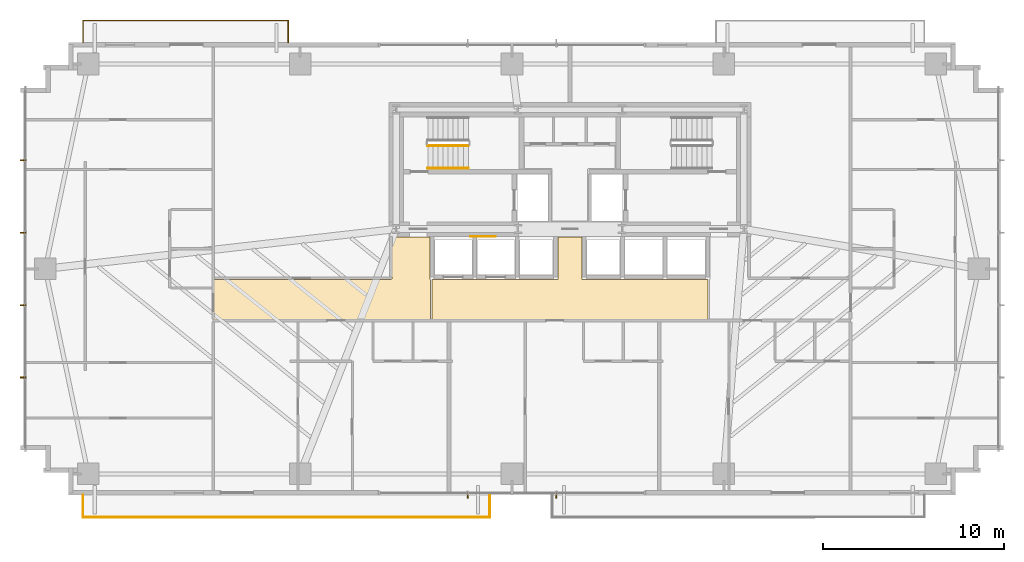
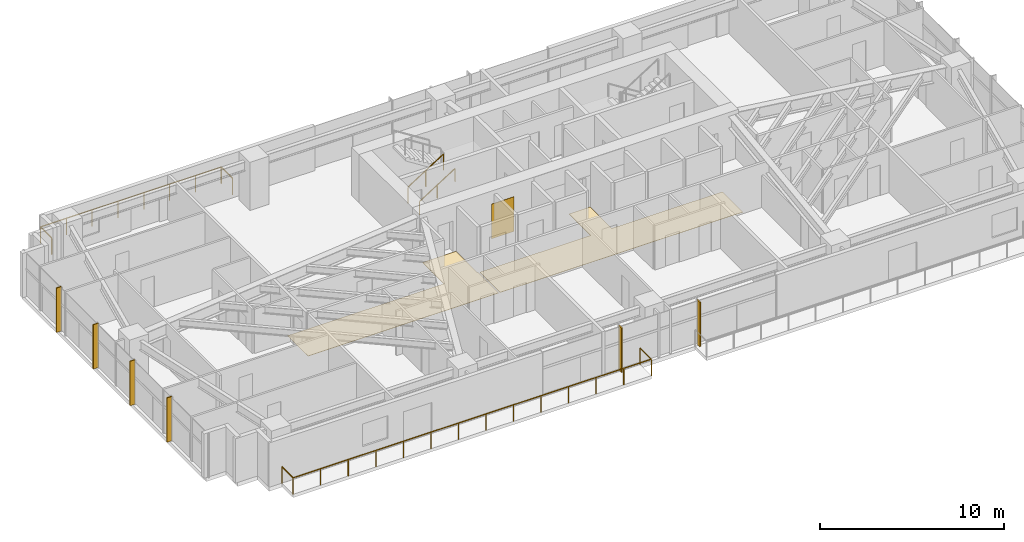
# One storey, part 23 of 25: 6 shading devices, 4 railings, 3 coverings.
"""IFC4 building model written with IfcOpenShell, lengths in metres."""

from ifc_helpers import new_model, si_unit, direction, frame, origin, origin_2d, place, context, subcontext, project, spatial, polyline, rectangle, outline, extrude, source, transform, mapped, material, layer, layer_set, type_object, type_shapes, element, save


model = new_model("IFC4")

# Units and contexts
model_context = context("Model", 3, precision=1e-05, world=origin(), true_north=direction((0.0, 1.0)))
body_context = subcontext(model_context, "Body", "Model", "MODEL_VIEW")
ifc_project = project(units=[si_unit("LENGTHUNIT", "METRE"), si_unit("AREAUNIT", "SQUARE_METRE"), si_unit("VOLUMEUNIT", "CUBIC_METRE"), si_unit("PLANEANGLEUNIT", "RADIAN"), si_unit("MASSUNIT", "GRAM", prefix="KILO")], contexts=[model_context])

# Site, building, storey
site_placement = place(None, origin())
site = spatial("IfcSite", under=ifc_project, at=site_placement, CompositionType="ELEMENT")
building_placement = place(site_placement, origin())
building = spatial("IfcBuilding", under=site, at=building_placement, Name="Astriad Promenade Condominiums", CompositionType="ELEMENT")
storey_placement = place(building_placement, frame((0.0, 0.0, 55.0)))
storey = spatial("IfcBuildingStorey", under=building, at=storey_placement, Name="L15", CompositionType="ELEMENT", Elevation=55.0)

# Coverings
ifc_material_1 = material(Name="Polished Lakefront Terrazzo Flooring")
ifc_layer_1 = layer(ifc_material_1, 0.02001953125)
ifc_layer_set_1 = layer_set([ifc_layer_1], Name="Polished Lakefront Terrazzo Flooring")
covering_type_1 = type_object("IfcCoveringType", Name="COV-FLOR-TERRAZZO-20", PredefinedType="FLOORING", material=ifc_layer_set_1)
covering_1_placement = place(storey_placement, origin())
element("IfcCovering", 1, at=covering_1_placement, inside=storey, type_object=covering_type_1, Name="FLR-L15-LLB", PredefinedType="FLOORING", context=body_context, shape_type="SweptSolid", body=[
    extrude(outline(polyline([(43.610107421875, 14.610107421875), (43.610107421875, 12.389892578125), (28.389892578125, 12.389892578125), (28.389892578125, 14.610107421875), (35.300048828125, 14.610107421875), (35.303955078125, 14.610107421875), (35.307861328125, 14.61083984375), (35.3115234375, 14.61181640625), (35.315185546875, 14.613037109375), (35.31884765625, 14.61474609375), (35.322265625, 14.61669921875), (35.325439453125, 14.619140625), (35.328369140625, 14.62158203125), (35.330810546875, 14.62451171875), (35.333251953125, 14.627685546875), (35.335205078125, 14.631103515625), (35.3369140625, 14.634765625), (35.33837890625, 14.638427734375), (35.339111328125, 14.64208984375), (35.33984375, 14.64599609375), (35.340087890625, 14.64990234375), (35.340087890625, 16.9599609375), (36.659912109375, 16.9599609375), (36.659912109375, 14.64990234375), (36.66015625, 14.64599609375), (36.660888671875, 14.64208984375), (36.66162109375, 14.638427734375), (36.6630859375, 14.634765625), (36.664794921875, 14.631103515625), (36.666748046875, 14.627685546875), (36.669189453125, 14.62451171875), (36.671630859375, 14.62158203125), (36.674560546875, 14.619140625), (36.677734375, 14.61669921875), (36.68115234375, 14.61474609375), (36.684814453125, 14.613037109375), (36.6884765625, 14.61181640625), (36.692138671875, 14.61083984375), (36.696044921875, 14.610107421875), (36.699951171875, 14.610107421875), (43.610107421875, 14.610107421875)])), origin(), (0.0, 0.0, 1.0), 0.02001953125),
])
covering_2_placement = place(storey_placement, origin())
element("IfcCovering", 2, at=covering_2_placement, inside=storey, type_object=covering_type_1, Name="FLR-L15-COR-2", PredefinedType="FLOORING", context=body_context, shape_type="SweptSolid", body=[
    extrude(outline(polyline([(28.300048828125, 12.389892578125), (16.340087890625, 12.389892578125), (16.340087890625, 14.6201171875), (26.1201171875, 14.6201171875), (26.123779296875, 14.6201171875), (26.127685546875, 14.620849609375), (26.131591796875, 14.62158203125), (26.13525390625, 14.623046875), (26.138916015625, 14.624755859375), (26.14208984375, 14.626708984375), (26.1455078125, 14.629150390625), (26.148193359375, 14.631591796875), (26.15087890625, 14.634521484375), (26.1533203125, 14.6376953125), (26.1552734375, 14.64111328125), (26.156982421875, 14.644775390625), (26.158203125, 14.6484375), (26.1591796875, 14.652099609375), (26.159912109375, 14.656005859375), (26.159912109375, 14.659912109375), (26.159912109375, 16.9599609375), (28.260009765625, 16.9599609375), (28.260009765625, 14.64990234375), (28.26025390625, 14.64599609375), (28.2607421875, 14.64208984375), (28.26171875, 14.638427734375), (28.262939453125, 14.634765625), (28.2646484375, 14.631103515625), (28.2666015625, 14.627685546875), (28.26904296875, 14.62451171875), (28.271728515625, 14.62158203125), (28.274658203125, 14.619140625), (28.27783203125, 14.61669921875), (28.281005859375, 14.61474609375), (28.28466796875, 14.613037109375), (28.288330078125, 14.61181640625), (28.292236328125, 14.61083984375), (28.296142578125, 14.610107421875), (28.300048828125, 14.610107421875), (28.300048828125, 12.389892578125)])), origin(), (0.0, 0.0, 1.0), 0.02001953125),
])

# Shading devices
ifc_material_2 = material(Name="Anodised aluminium 6063-T6 Black Fin", Category="aluminium")
shading_device_type = type_object("IfcShadingDeviceType", Name="FIN-BLACK-320", PredefinedType="USERDEFINED", material=ifc_material_2)
shared_shape_1 = source(origin(), body_context, "Body", "SweptSolid", [
    extrude(rectangle(XDim=0.06494140625, YDim=0.320068359375, at=origin_2d()), origin(), (0.0, 0.0, 1.0), 2.93994140625),
])
type_shapes(shading_device_type, [shared_shape_1])
for number, where, z_axis, x_axis, name in (
    (3, (5.7900390625, 9.199951171875, 0.0), (0.0, 0.0, 1.0), (0.0, 1.0, 0.0), "CW-L15-W-FIN-01"),
    (4, (5.7900390625, 13.199951171875, 0.0), (0.0, 0.0, 1.0), (0.0, 1.0, 0.0), "CW-L15-W-FIN-02"),
    (5, (5.7900390625, 17.199951171875, 0.0), (0.0, 0.0, 1.0), (0.0, 1.0, 0.0), "CW-L15-W-FIN-03"),
    (6, (5.7900390625, 21.199951171875, 0.0), (0.0, 0.0, 1.0), (0.0, 1.0, 0.0), "CW-L15-W-FIN-04"),
    (7, (35.25, 2.68994140625, 0.0), (0.0, 0.0, 1.0), (-1.0, 0.0, 0.0), "CW-L15-S-FIN-01"),
    (8, (30.35009765625, 2.68994140625, 0.0), (0.0, 0.0, 1.0), (-1.0, 0.0, 0.0), "CW-L15-S-FIN-02"),
):
    element("IfcShadingDevice", number, at=place(storey_placement, frame(where, z_axis=z_axis, x_axis=x_axis)), inside=storey, type_object=shading_device_type, Name=name, ObjectType="FIN", PredefinedType="USERDEFINED", context=body_context, shape_type="MappedRepresentation", body=[
        mapped(shared_shape_1, transform((0.0, 0.0, 0.0), scale=1.0)),
    ])

# Railings
ifc_material_3 = material(Name="Laminated Glass and Stainless Steel Balustrade", Category="steel")
railing_type_1 = type_object("IfcRailingType", Name="GRD-BALC-1120", PredefinedType="BALUSTRADE", material=ifc_material_3)
shared_shape_2 = source(origin(), body_context, "Body", "SweptSolid", [
    extrude(rectangle(XDim=0.048095703125, YDim=0.048095703125, at=origin_2d()), frame((0.0, 0.0, 1.09619140625), z_axis=(0.0, -1.0, 0.0), x_axis=(1.0, 0.0, 0.0)), (0.0, 0.0, 1.0), 1.219970703125),
    extrude(rectangle(XDim=0.048095703125, YDim=0.048095703125, at=origin_2d()), frame((0.0, -1.219970703125, 1.09619140625), z_axis=(1.0, 0.0, 0.0), x_axis=(0.0, 1.0, 0.0)), (0.0, 0.0, 1.0), 22.462158203125),
    extrude(rectangle(XDim=0.048095703125, YDim=0.048095703125, at=origin_2d()), frame((22.462158203125, -1.219970703125, 1.09619140625), z_axis=(0.0, 1.0, 0.0), x_axis=(-1.0, 0.0, 0.0)), (0.0, 0.0, 1.0), 1.219970703125),
    extrude(rectangle(XDim=0.0419921875, YDim=0.0419921875, at=origin_2d()), origin(), (0.0, 0.0, 1.0), 1.072021484375),
    extrude(rectangle(XDim=0.0419921875, YDim=0.0419921875, at=origin_2d()), frame((0.0, -1.219970703125, 0.0)), (0.0, 0.0, 1.0), 1.072021484375),
    extrude(rectangle(XDim=0.0419921875, YDim=0.0419921875, at=origin_2d()), frame((1.727783203125, -1.219970703125, 0.0)), (0.0, 0.0, 1.0), 1.072021484375),
    extrude(rectangle(XDim=0.0419921875, YDim=0.0419921875, at=origin_2d()), frame((3.455810546875, -1.219970703125, 0.0)), (0.0, 0.0, 1.0), 1.072021484375),
    extrude(rectangle(XDim=0.0419921875, YDim=0.0419921875, at=origin_2d()), frame((5.18359375, -1.219970703125, 0.0)), (0.0, 0.0, 1.0), 1.072021484375),
    extrude(rectangle(XDim=0.0419921875, YDim=0.0419921875, at=origin_2d()), frame((6.911376953125, -1.219970703125, 0.0)), (0.0, 0.0, 1.0), 1.072021484375),
    extrude(rectangle(XDim=0.0419921875, YDim=0.0419921875, at=origin_2d()), frame((8.639404296875, -1.219970703125, 0.0)), (0.0, 0.0, 1.0), 1.072021484375),
    extrude(rectangle(XDim=0.0419921875, YDim=0.0419921875, at=origin_2d()), frame((10.3671875, -1.219970703125, 0.0)), (0.0, 0.0, 1.0), 1.072021484375),
    extrude(rectangle(XDim=0.0419921875, YDim=0.0419921875, at=origin_2d()), frame((12.094970703125, -1.219970703125, 0.0)), (0.0, 0.0, 1.0), 1.072021484375),
    extrude(rectangle(XDim=0.0419921875, YDim=0.0419921875, at=origin_2d()), frame((13.82275390625, -1.219970703125, 0.0)), (0.0, 0.0, 1.0), 1.072021484375),
    extrude(rectangle(XDim=0.0419921875, YDim=0.0419921875, at=origin_2d()), frame((15.55078125, -1.219970703125, 0.0)), (0.0, 0.0, 1.0), 1.072021484375),
    extrude(rectangle(XDim=0.0419921875, YDim=0.0419921875, at=origin_2d()), frame((17.278564453125, -1.219970703125, 0.0)), (0.0, 0.0, 1.0), 1.072021484375),
    extrude(rectangle(XDim=0.0419921875, YDim=0.0419921875, at=origin_2d()), frame((19.00634765625, -1.219970703125, 0.0)), (0.0, 0.0, 1.0), 1.072021484375),
    extrude(rectangle(XDim=0.0419921875, YDim=0.0419921875, at=origin_2d()), frame((20.734375, -1.219970703125, 0.0)), (0.0, 0.0, 1.0), 1.072021484375),
    extrude(rectangle(XDim=0.0419921875, YDim=0.0419921875, at=origin_2d()), frame((22.462158203125, -1.219970703125, 0.0)), (0.0, 0.0, 1.0), 1.072021484375),
    extrude(rectangle(XDim=0.0419921875, YDim=0.0419921875, at=origin_2d()), frame((22.462158203125, 0.0, 0.0)), (0.0, 0.0, 1.0), 1.072021484375),
])
railing_1_placement = place(storey_placement, frame((9.10595703125, 2.699951171875, 0.0)))
element("IfcRailing", 9, at=railing_1_placement, inside=storey, type_object=railing_type_1, Name="GRD-BALC-L15-SW", PredefinedType="BALUSTRADE", context=body_context, shape_type="MappedRepresentation", body=[
    mapped(shared_shape_2, transform((0.0, 0.0, 0.0), scale=1.0)),
])
shared_shape_3 = source(origin(), body_context, "Body", "SweptSolid", [
    extrude(rectangle(XDim=0.048095703125, YDim=0.048095703125, at=origin_2d()), frame((0.0, 0.0, 1.09619140625), z_axis=(0.0, 1.0, 0.0), x_axis=(-1.0, 0.0, 0.0)), (0.0, 0.0, 1.0), 1.219970703125),
    extrude(rectangle(XDim=0.048095703125, YDim=0.048095703125, at=origin_2d()), frame((0.0, 1.219970703125, 1.09619140625), z_axis=(-1.0, 0.0, 0.0), x_axis=(0.0, -1.0, 0.0)), (0.0, 0.0, 1.0), 11.333984375),
    extrude(rectangle(XDim=0.048095703125, YDim=0.048095703125, at=origin_2d()), frame((-11.333984375, 1.219970703125, 1.09619140625), z_axis=(0.0, -1.0, 0.0), x_axis=(1.0, 0.0, 0.0)), (0.0, 0.0, 1.0), 1.219970703125),
    extrude(rectangle(XDim=0.0419921875, YDim=0.0419921875, at=origin_2d()), origin(), (0.0, 0.0, 1.0), 1.072021484375),
    extrude(rectangle(XDim=0.0419921875, YDim=0.0419921875, at=origin_2d()), frame((0.0, 1.219970703125, 0.0)), (0.0, 0.0, 1.0), 1.072021484375),
    extrude(rectangle(XDim=0.0419921875, YDim=0.0419921875, at=origin_2d()), frame((-1.619140625, 1.219970703125, 0.0)), (0.0, 0.0, 1.0), 1.072021484375),
    extrude(rectangle(XDim=0.0419921875, YDim=0.0419921875, at=origin_2d()), frame((-3.23828125, 1.219970703125, 0.0)), (0.0, 0.0, 1.0), 1.072021484375),
    extrude(rectangle(XDim=0.0419921875, YDim=0.0419921875, at=origin_2d()), frame((-4.857421875, 1.219970703125, 0.0)), (0.0, 0.0, 1.0), 1.072021484375),
    extrude(rectangle(XDim=0.0419921875, YDim=0.0419921875, at=origin_2d()), frame((-6.4765625, 1.219970703125, 0.0)), (0.0, 0.0, 1.0), 1.072021484375),
    extrude(rectangle(XDim=0.0419921875, YDim=0.0419921875, at=origin_2d()), frame((-8.095703125, 1.219970703125, 0.0)), (0.0, 0.0, 1.0), 1.072021484375),
    extrude(rectangle(XDim=0.0419921875, YDim=0.0419921875, at=origin_2d()), frame((-9.71484375, 1.219970703125, 0.0)), (0.0, 0.0, 1.0), 1.072021484375),
    extrude(rectangle(XDim=0.0419921875, YDim=0.0419921875, at=origin_2d()), frame((-11.333984375, 1.219970703125, 0.0)), (0.0, 0.0, 1.0), 1.072021484375),
    extrude(rectangle(XDim=0.0419921875, YDim=0.0419921875, at=origin_2d()), frame((-11.333984375, 0.0, 0.0)), (0.0, 0.0, 1.0), 1.072021484375),
])
type_shapes(railing_type_1, [shared_shape_2, shared_shape_3])
railing_2_placement = place(storey_placement, frame((20.43994140625, 27.699951171875, 0.0)))
element("IfcRailing", 10, at=railing_2_placement, inside=storey, type_object=railing_type_1, Name="GRD-BALC-L15-NW", PredefinedType="BALUSTRADE", context=body_context, shape_type="MappedRepresentation", body=[
    mapped(shared_shape_3, transform((0.0, 0.0, 0.0), scale=1.0)),
])
ifc_material_4 = material(Name="Painted Galvanised Steel Guardrail", Category="steel")
railing_type_2 = type_object("IfcRailingType", Name="GRD-STAIR-1100", PredefinedType="GUARDRAIL", material=ifc_material_4)
shared_shape_4 = source(origin(), body_context, "Body", "SweptSolid", [
    extrude(rectangle(XDim=0.048095703125, YDim=0.048095703125, at=origin_2d()), frame((0.0, 0.0, 1.076171875), z_axis=(0.84418770128, 0.0, 0.536047689118), x_axis=(0.0, 1.0, 0.0)), (0.0, 0.0, 1.0), 2.6533203125),
    extrude(rectangle(XDim=0.0419921875, YDim=0.0419921875, at=origin_2d()), origin(), (0.0, 0.0, 1.0), 1.052001953125),
    extrude(rectangle(XDim=0.0419921875, YDim=0.0419921875, at=origin_2d()), frame((1.1201171875, 0.0, 0.711181640625)), (0.0, 0.0, 1.0), 1.052001953125),
    extrude(rectangle(XDim=0.0419921875, YDim=0.0419921875, at=origin_2d()), frame((2.239990234375, 0.0, 1.42236328125)), (0.0, 0.0, 1.0), 1.052001953125),
])
type_shapes(railing_type_2, [shared_shape_4])
railing_3_placement = place(storey_placement, frame((28.14990234375, 22.0, 0.177734375)))
element("IfcRailing", 11, at=railing_3_placement, inside=storey, type_object=railing_type_2, Name="L15 ST-1 stair guard 1", PredefinedType="GUARDRAIL", context=body_context, shape_type="MappedRepresentation", body=[
    mapped(shared_shape_4, transform((0.0, 0.0, 0.0), scale=1.0)),
])
ifc_material_5 = material(Name="Brushed Stainless Steel Handrail", Category="steel")
railing_type_3 = type_object("IfcRailingType", Name="HRL-STAIR-920", PredefinedType="HANDRAIL", material=ifc_material_5)
shared_shape_5 = source(origin(), body_context, "Body", "SweptSolid", [
    extrude(rectangle(XDim=0.048095703125, YDim=0.048095703125, at=origin_2d()), frame((0.0, 0.0, 0.8759765625), z_axis=(0.84418770128, 0.0, 0.536047689118), x_axis=(0.0, 1.0, 0.0)), (0.0, 0.0, 1.0), 2.6533203125),
    extrude(rectangle(XDim=0.0419921875, YDim=0.0419921875, at=origin_2d()), origin(), (0.0, 0.0, 1.0), 0.851806640625),
    extrude(rectangle(XDim=0.0419921875, YDim=0.0419921875, at=origin_2d()), frame((1.1201171875, 0.0, 0.711181640625)), (0.0, 0.0, 1.0), 0.851806640625),
    extrude(rectangle(XDim=0.0419921875, YDim=0.0419921875, at=origin_2d()), frame((2.239990234375, 0.0, 1.42236328125)), (0.0, 0.0, 1.0), 0.851806640625),
])
type_shapes(railing_type_3, [shared_shape_5])
railing_4_placement = place(storey_placement, frame((28.14990234375, 20.75, 0.177734375)))
element("IfcRailing", 12, at=railing_4_placement, inside=storey, type_object=railing_type_3, Name="L15 ST-1 stair handrail 1", PredefinedType="HANDRAIL", context=body_context, shape_type="MappedRepresentation", body=[
    mapped(shared_shape_5, transform((0.0, 0.0, 0.0), scale=1.0)),
])

# Covering
ifc_material_6 = material(Name="Fire-Retardant Acoustic Oak Wall Cladding")
ifc_layer_2 = layer(ifc_material_6, 0.02490234375)
ifc_layer_set_2 = layer_set([ifc_layer_2], Name="Fire-Retardant Acoustic Oak Wall Cladding")
covering_type_2 = type_object("IfcCoveringType", Name="COV-CLAD-TIMBER-25", PredefinedType="CLADDING", material=ifc_layer_set_2)
shared_shape_6 = source(origin(), body_context, "Body", "SweptSolid", [
    extrude(rectangle(XDim=1.39990234375, YDim=0.02490234375, at=origin_2d()), origin(), (0.0, 0.0, 1.0), 2.300048828125),
])
type_shapes(covering_type_2, [shared_shape_6])
covering_3_placement = place(storey_placement, frame((31.199951171875, 16.991455078125, 0.0498046875), z_axis=(0.0, 0.0, 1.0), x_axis=(1.0, 0.0, 0.0)))
element("IfcCovering", 13, at=covering_3_placement, inside=storey, type_object=covering_type_2, Name="CLAD-LOB-L15", PredefinedType="CLADDING", context=body_context, shape_type="MappedRepresentation", body=[
    mapped(shared_shape_6, transform((0.0, 0.0, 0.0), scale=1.0)),
])

save(model, "model.ifc")
